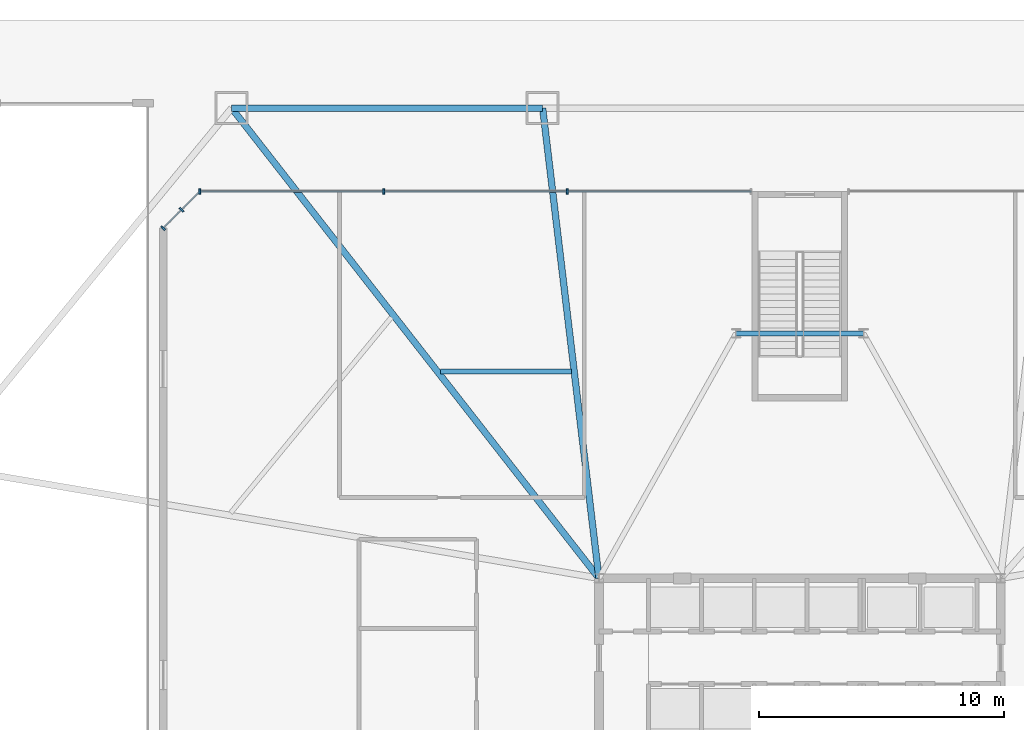
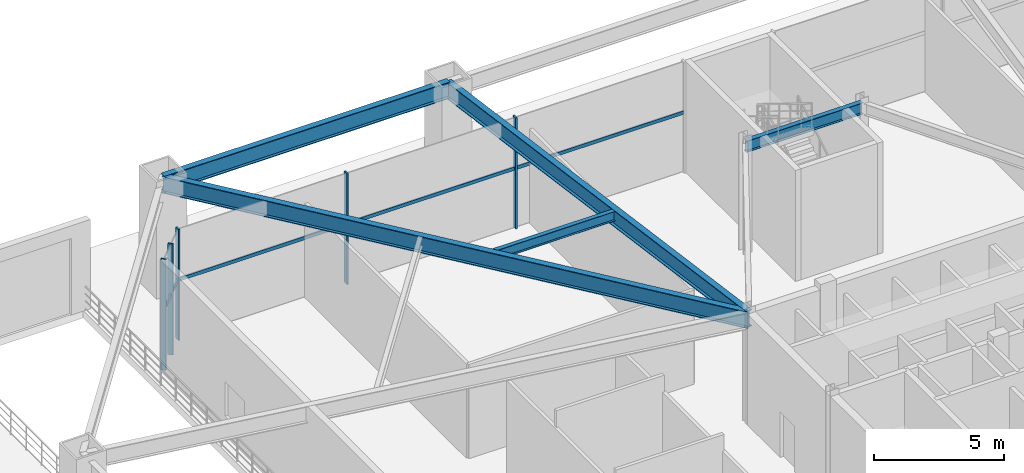
# One storey, part 9 of 20: 7 members, 5 beams, 2 elements without a shape of their own.
"""IFC4 building model written with IfcOpenShell, lengths in metres."""

from ifc_helpers import new_model, si_unit, direction, frame, origin, origin_2d, place, context, subcontext, project, spatial, rectangle, i_section, extrude, source, transform, mapped, material, layer, layer_set, material_profile, profile_set, type_object, type_shapes, element, aggregate, save


model = new_model("IFC4")

# Units and contexts
model_context = context("Model", 3, precision=1e-05, world=origin(), true_north=direction((0.0, 1.0)))
body_context = subcontext(model_context, "Body", "Model", "MODEL_VIEW")
ifc_project = project(units=[si_unit("LENGTHUNIT", "METRE"), si_unit("AREAUNIT", "SQUARE_METRE"), si_unit("VOLUMEUNIT", "CUBIC_METRE"), si_unit("PLANEANGLEUNIT", "RADIAN"), si_unit("MASSUNIT", "GRAM", prefix="KILO")], contexts=[model_context])

# Site, building, storey
site_placement = place(None, origin())
site = spatial("IfcSite", under=ifc_project, at=site_placement, CompositionType="ELEMENT")
building_placement = place(site_placement, origin())
building = spatial("IfcBuilding", under=site, at=building_placement, Name="Varakhsha Concourse Tower", CompositionType="ELEMENT")
storey_placement = place(building_placement, origin())
storey = spatial("IfcBuildingStorey", under=building, at=storey_placement, Name="L01", CompositionType="ELEMENT", Elevation=0.0)

# Beams
ifc_material_1 = material(Name="Structural Steel ASTM A992 Grade 50", Category="steel")
ifc_material_profile_1 = material_profile(ifc_material_1, i_section(OverallWidth=0.26611328125, OverallDepth=0.779052734375, WebThickness=0.01708984375, FlangeThickness=0.030029296875, at=origin_2d()), Name="W30X148")
ifc_profile_set_1 = profile_set([ifc_material_profile_1], Name="Structural Steel ASTM A992 Grade 50")
beam_type_1 = type_object("IfcBeamType", Name="BM-BASE-W30X148", PredefinedType="USERDEFINED", material=ifc_profile_set_1)
beam_1_placement = place(storey_placement, frame((29.5, 50.39990234375, 4.83056640625), z_axis=(-1.0, 0.0, 0.0), x_axis=(0.0, -1.0, 0.0)))
element("IfcBeam", 1, at=beam_1_placement, inside=storey, type_object=beam_type_1, Name="BM-PRING-L01-09", ObjectType="GIRDER", PredefinedType="USERDEFINED", context=body_context, shape_type="SweptSolid", body=[
    extrude(i_section(OverallWidth=0.26611328125, OverallDepth=0.779052734375, WebThickness=0.01708984375, FlangeThickness=0.030029296875, at=origin_2d()), origin(), (0.0, 0.0, 1.0), 12.699951171875),
])
beam_2_placement = place(storey_placement, frame((31.800048828125, 31.199951171875, 4.83056640625), z_axis=(-0.118944087656, 0.992900953777, 0.0), x_axis=(-0.992900953777, -0.118944087656, 0.0)))
element("IfcBeam", 2, at=beam_2_placement, inside=storey, type_object=beam_type_1, Name="BM-PRAD-L01-09", ObjectType="GIRDER", PredefinedType="USERDEFINED", context=body_context, shape_type="SweptSolid", body=[
    extrude(i_section(OverallWidth=0.26611328125, OverallDepth=0.779052734375, WebThickness=0.01708984375, FlangeThickness=0.030029296875, at=origin_2d()), origin(), (0.0, 0.0, 1.0), 19.337158203125),
])
beam_3_placement = place(storey_placement, frame((31.800048828125, 31.199951171875, 4.83056640625), z_axis=(-0.615645014223, 0.788023614153, 0.0), x_axis=(-0.788023614153, -0.615645014223, 0.0)))
element("IfcBeam", 3, at=beam_3_placement, inside=storey, type_object=beam_type_1, Name="BM-PRAD-L01-10", ObjectType="GIRDER", PredefinedType="USERDEFINED", context=body_context, shape_type="SweptSolid", body=[
    extrude(i_section(OverallWidth=0.26611328125, OverallDepth=0.779052734375, WebThickness=0.01708984375, FlangeThickness=0.030029296875, at=origin_2d()), origin(), (0.0, 0.0, 1.0), 24.36474609375),
])
ifc_material_profile_2 = material_profile(ifc_material_1, i_section(OverallWidth=0.19091796875, OverallDepth=0.45703125, WebThickness=0.009033203125, FlangeThickness=0.013916015625, at=origin_2d()), Name="W18X50")
ifc_profile_set_2 = profile_set([ifc_material_profile_2], Name="Structural Steel ASTM A992 Grade 50")
beam_type_2 = type_object("IfcBeamType", Name="BM-JST-W18X50", PredefinedType="JOIST", material=ifc_profile_set_2)
beam_4_placement = place(storey_placement, frame((30.66796875, 39.64794921875, 4.991455078125), z_axis=(-1.0, 0.0, 0.0), x_axis=(0.0, -1.0, 0.0)))
element("IfcBeam", 4, at=beam_4_placement, inside=storey, type_object=beam_type_2, Name="BM-PJST-L01-09", PredefinedType="JOIST", context=body_context, shape_type="SweptSolid", body=[
    extrude(i_section(OverallWidth=0.19091796875, OverallDepth=0.45703125, WebThickness=0.009033203125, FlangeThickness=0.013916015625, at=origin_2d()), origin(), (0.0, 0.0, 1.0), 5.347900390625),
])
ifc_material_profile_3 = material_profile(ifc_material_1, i_section(OverallWidth=0.2109375, OverallDepth=0.5390625, WebThickness=0.011962890625, FlangeThickness=0.01904296875, at=origin_2d()), Name="W21X73")
ifc_profile_set_3 = profile_set([ifc_material_profile_3], Name="Structural Steel ASTM A992 Grade 50")
beam_type_3 = type_object("IfcBeamType", Name="BM-RAD-W21X73", PredefinedType="BEAM", material=ifc_profile_set_3)
beam_5_placement = place(storey_placement, frame((37.39990234375, 41.199951171875, 4.950439453125), z_axis=(1.0, 0.0, 0.0), x_axis=(0.0, 1.0, 0.0)))
element("IfcBeam", 5, at=beam_5_placement, inside=storey, type_object=beam_type_3, Name="BM-CORE-L01-NSB", PredefinedType="BEAM", context=body_context, shape_type="SweptSolid", body=[
    extrude(i_section(OverallWidth=0.2109375, OverallDepth=0.5390625, WebThickness=0.011962890625, FlangeThickness=0.01904296875, at=origin_2d()), origin(), (0.0, 0.0, 1.0), 5.2001953125),
])

# Curtain wall, members
ifc_material_2 = material(Name="Anodised Bronze Architectural Aluminium AA 6063-T6", Category="aluminium")
ifc_layer = layer(ifc_material_2, 0.239990234375, Name="CW-SYS-01")
ifc_layer_set = layer_set([ifc_layer], Name="Anodised Bronze Architectural Aluminium AA 6063-T6")
curtain_wall_type = type_object("IfcCurtainWallType", Name="CW-SYS-01", PredefinedType="NOTDEFINED", material=ifc_layer_set)
curtain_wall_1_placement = place(storey_placement, origin())
curtain_wall_1 = element("IfcCurtainWall", 6, at=curtain_wall_1_placement, inside=storey, type_object=curtain_wall_type, Name="L01 Concourse Curtain Wall 05B", PredefinedType="NOTDEFINED")
ifc_material_profile_4 = material_profile(ifc_material_2, rectangle(XDim=0.074951171875, YDim=0.219970703125, at=origin_2d()), Name="CWM-220X75")
ifc_profile_set_4 = profile_set([ifc_material_profile_4], Name="Anodised Bronze Architectural Aluminium AA 6063-T6")
member_type_1 = type_object("IfcMemberType", Name="CWM-220X75", PredefinedType="MULLION", material=ifc_profile_set_4)
shared_shape_1 = source(origin(), body_context, "Body", "SweptSolid", [
    extrude(rectangle(XDim=0.074951171875, YDim=0.219970703125, at=origin_2d()), origin(), (0.0, 0.0, 1.0), 5.219970703125),
])
type_shapes(member_type_1, [shared_shape_1])
member_1_placement = place(storey_placement, frame((30.506591796875, 47.0, 0.0), z_axis=(0.0, 0.0, 1.0), x_axis=(-1.0, 0.0, 0.0)))
member_1 = element("IfcMember", 7, at=member_1_placement, type_object=member_type_1, Name="CW-L01-05B Mullion 01", PredefinedType="MULLION", context=body_context, shape_type="MappedRepresentation", body=[
    mapped(shared_shape_1, transform((0.0, 0.0, 0.0), scale=1.0)),
])
member_2_placement = place(storey_placement, frame((23.00341796875, 47.0, 0.0), z_axis=(0.0, 0.0, 1.0), x_axis=(-1.0, 0.0, 0.0)))
member_2 = element("IfcMember", 8, at=member_2_placement, type_object=member_type_1, Name="CW-L01-05B Mullion 02", PredefinedType="MULLION", context=body_context, shape_type="MappedRepresentation", body=[
    mapped(shared_shape_1, transform((0.0, 0.0, 0.0), scale=1.0)),
])
member_3_placement = place(storey_placement, frame((15.5, 47.0, 0.0), z_axis=(0.0, 0.0, 1.0), x_axis=(-1.0, 0.0, 0.0)))
member_3 = element("IfcMember", 9, at=member_3_placement, type_object=member_type_1, Name="CW-L01-05B Mullion 03", PredefinedType="MULLION", context=body_context, shape_type="MappedRepresentation", body=[
    mapped(shared_shape_1, transform((0.0, 0.0, 0.0), scale=1.0)),
])

curtain_wall_2_placement = place(storey_placement, origin())
curtain_wall_2 = element("IfcCurtainWall", 10, at=curtain_wall_2_placement, inside=storey, type_object=curtain_wall_type, Name="L01 Concourse Curtain Wall 06", PredefinedType="NOTDEFINED")
member_4_placement = place(storey_placement, frame((14.75, 46.25, 0.0), z_axis=(0.0, 0.0, 1.0), x_axis=(-0.707106781187, -0.707106781187, 0.0)))
member_4 = element("IfcMember", 11, at=member_4_placement, type_object=member_type_1, Name="CW-L01-06 Mullion 01", PredefinedType="MULLION", context=body_context, shape_type="MappedRepresentation", body=[
    mapped(shared_shape_1, transform((0.0, 0.0, 0.0), scale=1.0)),
])
member_5_placement = place(storey_placement, frame((14.0, 45.5, 0.0), z_axis=(0.0, 0.0, 1.0), x_axis=(-0.707106781187, -0.707106781187, 0.0)))
member_5 = element("IfcMember", 12, at=member_5_placement, type_object=member_type_1, Name="CW-L01-06 Mullion 02", PredefinedType="MULLION", context=body_context, shape_type="MappedRepresentation", body=[
    mapped(shared_shape_1, transform((0.0, 0.0, 0.0), scale=1.0)),
])
ifc_material_profile_5 = material_profile(ifc_material_2, rectangle(XDim=0.06494140625, YDim=0.159912109375, at=origin_2d()), Name="CWT-160X65")
ifc_profile_set_5 = profile_set([ifc_material_profile_5], Name="Anodised Bronze Architectural Aluminium AA 6063-T6")
member_type_2 = type_object("IfcMemberType", Name="CWT-160X65", PredefinedType="USERDEFINED", material=ifc_profile_set_5)
shared_shape_2 = source(origin(), body_context, "Body", "SweptSolid", [
    extrude(rectangle(XDim=0.06494140625, YDim=0.159912109375, at=origin_2d()), origin(), (0.0, 0.0, 1.0), 2.121337890625),
])
member_6_placement = place(storey_placement, frame((15.5, 47.0, 2.800048828125), z_axis=(-0.707106781187, -0.707106781187, 0.0), x_axis=(0.707106781187, -0.707106781187, 0.0)))
member_6 = element("IfcMember", 13, at=member_6_placement, type_object=member_type_2, Name="CW-L01-06 Transom 01", ObjectType="TRANSOM", PredefinedType="USERDEFINED", context=body_context, shape_type="MappedRepresentation", body=[
    mapped(shared_shape_2, transform((0.0, 0.0, 0.0), scale=1.0)),
])
aggregate(curtain_wall_2, [member_4, member_5, member_6])

# Member
shared_shape_3 = source(origin(), body_context, "Body", "SweptSolid", [
    extrude(rectangle(XDim=0.06494140625, YDim=0.159912109375, at=origin_2d()), origin(), (0.0, 0.0, 1.0), 22.510009765625),
])
type_shapes(member_type_2, [shared_shape_2, shared_shape_3])
member_7_placement = place(storey_placement, frame((38.010009765625, 47.0, 2.800048828125), z_axis=(-1.0, 0.0, 0.0), x_axis=(0.0, -1.0, 0.0)))
member_7 = element("IfcMember", 14, at=member_7_placement, type_object=member_type_2, Name="CW-L01-05B Transom 01", ObjectType="TRANSOM", PredefinedType="USERDEFINED", context=body_context, shape_type="MappedRepresentation", body=[
    mapped(shared_shape_3, transform((0.0, 0.0, 0.0), scale=1.0)),
])

aggregate(curtain_wall_1, [member_1, member_2, member_3, member_7])

save(model, "model.ifc")
